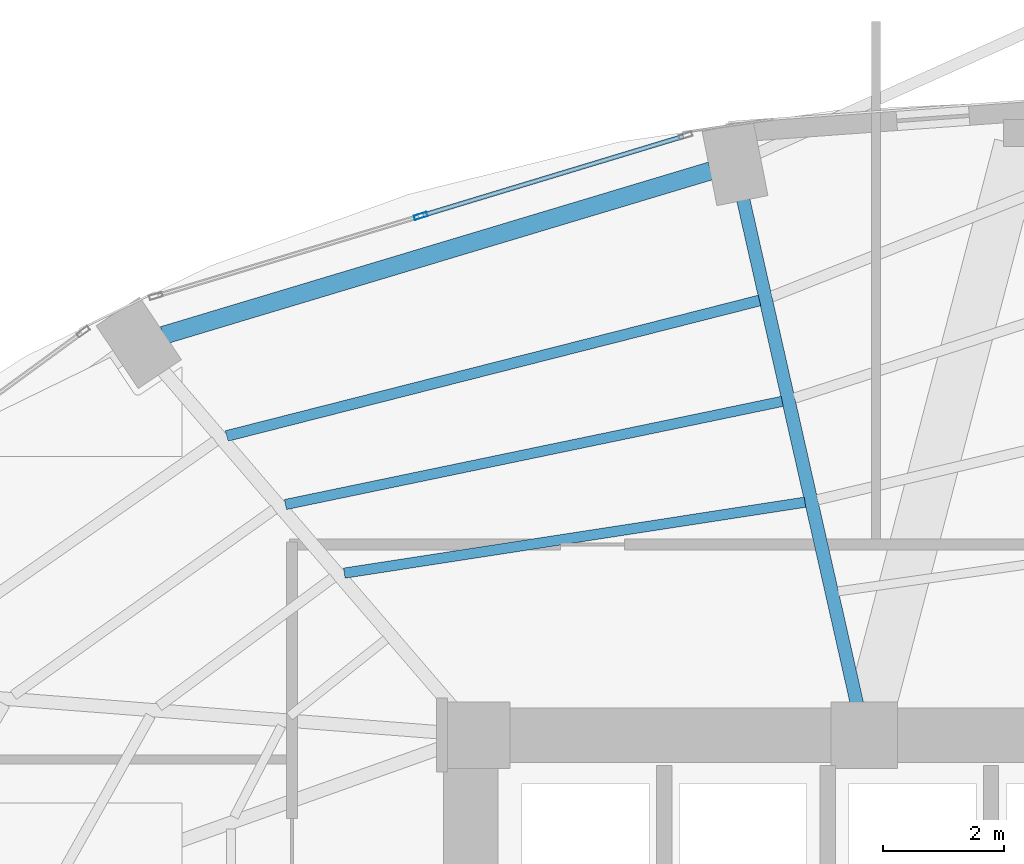
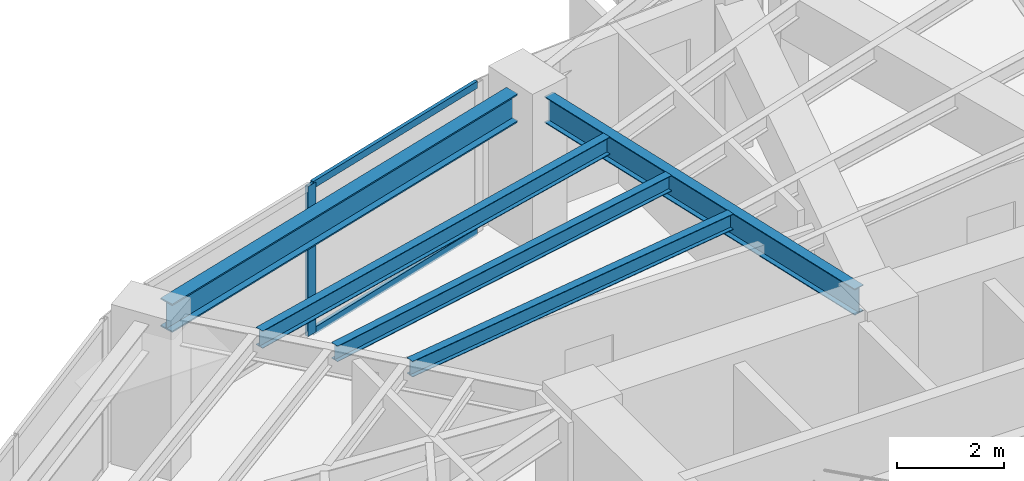
# One storey, part 14 of 24: 5 beams, 3 members, 1 element without a shape of its own.
"""IFC4 building model written with IfcOpenShell, lengths in metres."""

from ifc_helpers import new_model, si_unit, direction, frame, origin, origin_2d, place, context, subcontext, project, spatial, hollow_rectangle, i_section, extrude, material, layer, layer_set, material_profile, profile_set, type_object, element, aggregate, save


model = new_model("IFC4")

# Units and contexts
model_context = context("Model", 3, precision=1e-05, world=origin(), true_north=direction((0.0, 1.0)))
body_context = subcontext(model_context, "Body", "Model", "MODEL_VIEW")
ifc_project = project(units=[si_unit("LENGTHUNIT", "METRE"), si_unit("AREAUNIT", "SQUARE_METRE"), si_unit("VOLUMEUNIT", "CUBIC_METRE"), si_unit("PLANEANGLEUNIT", "RADIAN"), si_unit("MASSUNIT", "GRAM", prefix="KILO")], contexts=[model_context])

# Site, building, storey
site_placement = place(None, origin())
site = spatial("IfcSite", under=ifc_project, at=site_placement, CompositionType="ELEMENT")
building_placement = place(site_placement, origin())
building = spatial("IfcBuilding", under=site, at=building_placement, Name="Lazwardi Medical Tower", CompositionType="ELEMENT")
storey_placement = place(building_placement, frame((0.0, 0.0, 39.7919921875)))
storey = spatial("IfcBuildingStorey", under=building, at=storey_placement, Name="L09", CompositionType="ELEMENT", Elevation=39.7919921875)

# Beams
ifc_material_1 = material(Name="Steel S355", Category="steel")
ifc_material_profile_1 = material_profile(ifc_material_1, i_section(OverallWidth=0.300048828125, OverallDepth=0.64990234375, WebThickness=0.01611328125, FlangeThickness=0.031005859375, at=origin_2d()), Name="HEB 650")
ifc_profile_set_1 = profile_set([ifc_material_profile_1], Name="Steel S355")
beam_type_1 = type_object("IfcBeamType", Name="BM-RB-Z1", PredefinedType="BEAM", material=ifc_profile_set_1)
beam_1_placement = place(storey_placement, frame((30.26708984375, 44.923095703125, 3.10302734375), z_axis=(-0.957695289269, -0.287784177662, 0.0), x_axis=(0.287784177662, -0.957695289269, 0.0)))
element("IfcBeam", 1, at=beam_1_placement, inside=storey, type_object=beam_type_1, Name="Ring beam RB-02 B09 L09", PredefinedType="BEAM", context=body_context, shape_type="SweptSolid", body=[
    extrude(i_section(OverallWidth=0.300048828125, OverallDepth=0.64990234375, WebThickness=0.01611328125, FlangeThickness=0.031005859375, at=origin_2d()), origin(), (0.0, 0.0, 1.0), 9.445556640625),
])
ifc_material_profile_2 = material_profile(ifc_material_1, i_section(OverallWidth=0.219970703125, OverallDepth=0.60009765625, WebThickness=0.011962890625, FlangeThickness=0.01904296875, at=origin_2d()), Name="IPE 600")
ifc_profile_set_2 = profile_set([ifc_material_profile_2], Name="Steel S355")
beam_type_2 = type_object("IfcBeamType", Name="BM-RG-W1", PredefinedType="BEAM", material=ifc_profile_set_2)
beam_2_placement = place(storey_placement, frame((30.796875, 44.478271484375, 3.1279296875), z_axis=(0.22010079219, -0.975477135189, 0.0), x_axis=(0.975477135189, 0.22010079219, 0.0)))
element("IfcBeam", 2, at=beam_2_placement, inside=storey, type_object=beam_type_2, Name="Radial girder RG-02 R09 L09", PredefinedType="BEAM", context=body_context, shape_type="SweptSolid", body=[
    extrude(i_section(OverallWidth=0.219970703125, OverallDepth=0.60009765625, WebThickness=0.011962890625, FlangeThickness=0.01904296875, at=origin_2d()), origin(), (0.0, 0.0, 1.0), 8.56640625),
])
ifc_material_profile_3 = material_profile(ifc_material_1, i_section(OverallWidth=0.179931640625, OverallDepth=0.39990234375, WebThickness=0.008544921875, FlangeThickness=0.013427734375, at=origin_2d()), Name="IPE 400")
ifc_profile_set_3 = profile_set([ifc_material_profile_3], Name="Steel S355")
beam_type_3 = type_object("IfcBeamType", Name="BM-SJ-01", PredefinedType="JOIST", material=ifc_profile_set_3)
beam_3_placement = place(storey_placement, frame((31.072265625, 42.781005859375, 3.22802734375), z_axis=(-0.969151012048, -0.246467677081, 0.0), x_axis=(0.246467677081, -0.969151012048, 0.0)))
element("IfcBeam", 3, at=beam_3_placement, inside=storey, type_object=beam_type_3, Name="Secondary joist SJ-01 R1 B09 L09", PredefinedType="JOIST", context=body_context, shape_type="SweptSolid", body=[
    extrude(i_section(OverallWidth=0.179931640625, OverallDepth=0.39990234375, WebThickness=0.008544921875, FlangeThickness=0.013427734375, at=origin_2d()), origin(), (0.0, 0.0, 1.0), 9.08251953125),
])
ifc_material_profile_4 = material_profile(ifc_material_1, i_section(OverallWidth=0.169921875, OverallDepth=0.360107421875, WebThickness=0.008056640625, FlangeThickness=0.0126953125, at=origin_2d()), Name="IPE 360")
ifc_profile_set_4 = profile_set([ifc_material_profile_4], Name="Steel S355")
beam_type_4 = type_object("IfcBeamType", Name="BM-SJ-02", PredefinedType="JOIST", material=ifc_profile_set_4)
beam_4_placement = place(storey_placement, frame((31.4482421875, 41.114501953125, 3.248046875), z_axis=(-0.979107693723, -0.203342381445, 0.0), x_axis=(0.203342381445, -0.979107693723, 0.0)))
element("IfcBeam", 4, at=beam_4_placement, inside=storey, type_object=beam_type_4, Name="Secondary joist SJ-02 R2 B09 L09", PredefinedType="JOIST", context=body_context, shape_type="SweptSolid", body=[
    extrude(i_section(OverallWidth=0.169921875, OverallDepth=0.360107421875, WebThickness=0.008056640625, FlangeThickness=0.0126953125, at=origin_2d()), origin(), (0.0, 0.0, 1.0), 8.381591796875),
])
beam_5_placement = place(storey_placement, frame((31.824462890625, 39.448486328125, 3.248046875), z_axis=(-0.988362899594, -0.152114360618, 0.0), x_axis=(0.152114360618, -0.988362899594, 0.0)))
element("IfcBeam", 5, at=beam_5_placement, inside=storey, type_object=beam_type_4, Name="Secondary joist SJ-02 R3 B09 L09", PredefinedType="JOIST", context=body_context, shape_type="SweptSolid", body=[
    extrude(i_section(OverallWidth=0.169921875, OverallDepth=0.360107421875, WebThickness=0.008056640625, FlangeThickness=0.0126953125, at=origin_2d()), origin(), (0.0, 0.0, 1.0), 7.70068359375),
])

# Curtain wall, members
ifc_material_2 = material(Name="Anodised bronze aluminium and solar control glazing", Category="aluminium")
ifc_layer = layer(ifc_material_2, 0.199951171875)
ifc_layer_set = layer_set([ifc_layer], Name="Anodised bronze aluminium and solar control glazing")
curtain_wall_type = type_object("IfcCurtainWallType", Name="CW-SYS-02", PredefinedType="NOTDEFINED", material=ifc_layer_set)
curtain_wall_placement = place(storey_placement, origin())
curtain_wall = element("IfcCurtainWall", 6, at=curtain_wall_placement, inside=storey, type_object=curtain_wall_type, Name="L09 Unitised bronze curtain wall CW-02", PredefinedType="NOTDEFINED")
ifc_material_3 = material(Name="Anodised bronze aluminium", Category="aluminium")
ifc_material_profile_5 = material_profile(ifc_material_3, hollow_rectangle(XDim=0.074951171875, YDim=0.219970703125, WallThickness=0.00390625, at=origin_2d()), Name="ALU-MULLION 220x75x4")
ifc_profile_set_5 = profile_set([ifc_material_profile_5], Name="Anodised bronze aluminium")
member_type_1 = type_object("IfcMemberType", Name="CW-MUL-01", PredefinedType="MULLION", material=ifc_profile_set_5)
member_1_placement = place(storey_placement, frame((25.476806640625, 44.178466796875, 0.0), z_axis=(0.0, 0.0, 1.0), x_axis=(0.2898956909, -0.957058247129, 0.0)))
member_1 = element("IfcMember", 7, at=member_1_placement, type_object=member_type_1, Name="CW-02 mullion 2", PredefinedType="MULLION", context=body_context, shape_type="SweptSolid", body=[
    extrude(hollow_rectangle(XDim=0.074951171875, YDim=0.219970703125, WallThickness=0.00390625, at=origin_2d()), origin(), (0.0, 0.0, 1.0), 3.427978515625),
])
ifc_material_profile_6 = material_profile(ifc_material_3, hollow_rectangle(XDim=0.074951171875, YDim=0.159912109375, WallThickness=0.00390625, at=origin_2d()), Name="ALU-TRANSOM 160x75x4")
ifc_profile_set_6 = profile_set([ifc_material_profile_6], Name="Anodised bronze aluminium")
member_type_2 = type_object("IfcMemberType", Name="CW-TRN-01", PredefinedType="USERDEFINED", material=ifc_profile_set_6)
member_2_placement = place(storey_placement, frame((29.816162109375, 45.492919921875, 0.03759765625), z_axis=(-0.957047233423, -0.28993204893, 0.0), x_axis=(0.28993204893, -0.957047233423, 0.0)))
member_2 = element("IfcMember", 8, at=member_2_placement, type_object=member_type_2, Name="CW-02 transom 1.1", ObjectType="TRANSOM", PredefinedType="USERDEFINED", context=body_context, shape_type="SweptSolid", body=[
    extrude(hollow_rectangle(XDim=0.074951171875, YDim=0.159912109375, WallThickness=0.00390625, at=origin_2d()), origin(), (0.0, 0.0, 1.0), 4.49658203125),
])
member_3_placement = place(storey_placement, frame((29.816162109375, 45.492919921875, 3.390625), z_axis=(-0.957047233423, -0.28993204893, 0.0), x_axis=(0.28993204893, -0.957047233423, 0.0)))
member_3 = element("IfcMember", 9, at=member_3_placement, type_object=member_type_2, Name="CW-02 transom 1.2", ObjectType="TRANSOM", PredefinedType="USERDEFINED", context=body_context, shape_type="SweptSolid", body=[
    extrude(hollow_rectangle(XDim=0.074951171875, YDim=0.159912109375, WallThickness=0.00390625, at=origin_2d()), origin(), (0.0, 0.0, 1.0), 4.49658203125),
])
aggregate(curtain_wall, [member_1, member_2, member_3])

save(model, "model.ifc")
